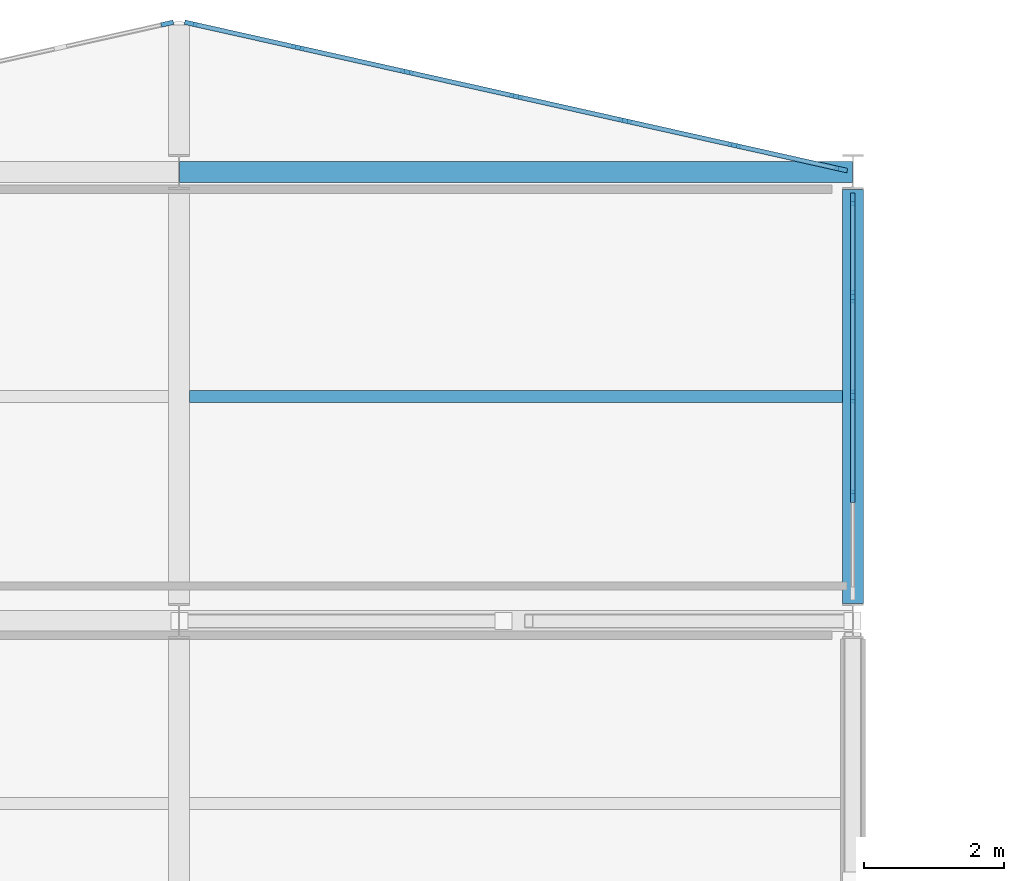
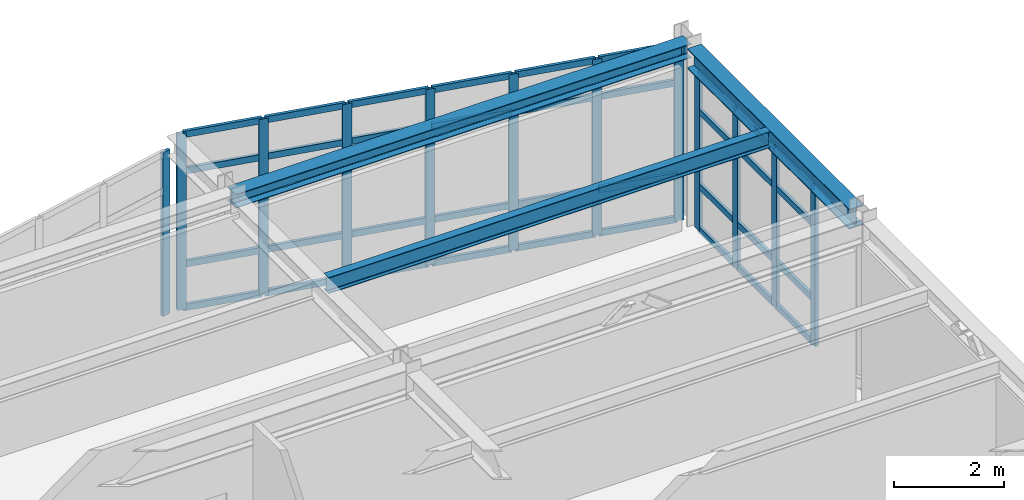
# One storey, part 45 of 88: 48 members, 3 beams, 3 elements without a shape of their own.
"""IFC4 building model written with IfcOpenShell, lengths in metres."""

from ifc_helpers import new_model, si_unit, direction, frame, origin, origin_2d, place, context, subcontext, project, spatial, rectangle, i_section, extrude, material, layer, layer_set, material_profile, profile_set, type_object, element, aggregate, save


model = new_model("IFC4")

# Units and contexts
model_context = context("Model", 3, precision=1e-05, world=origin(), true_north=direction((0.0, 1.0)))
body_context = subcontext(model_context, "Body", "Model", "MODEL_VIEW")
ifc_project = project(units=[si_unit("LENGTHUNIT", "METRE"), si_unit("AREAUNIT", "SQUARE_METRE"), si_unit("VOLUMEUNIT", "CUBIC_METRE"), si_unit("PLANEANGLEUNIT", "RADIAN"), si_unit("MASSUNIT", "GRAM", prefix="KILO")], contexts=[model_context])

# Site, building, storey
site_placement = place(None, origin())
site = spatial("IfcSite", under=ifc_project, at=site_placement, CompositionType="ELEMENT")
building_placement = place(site_placement, origin())
building = spatial("IfcBuilding", under=site, at=building_placement, Name="Nordkorset Police Headquarters", CompositionType="ELEMENT")
storey_placement = place(building_placement, frame((0.0, 0.0, 9.449951171875)))
storey = spatial("IfcBuildingStorey", under=building, at=storey_placement, Name="L02", CompositionType="ELEMENT", Elevation=9.449951171875)

# Beam
ifc_material_1 = material(Name="Steel S355J2", Category="steel")
ifc_material_profile_1 = material_profile(ifc_material_1, i_section(OverallWidth=0.169921875, OverallDepth=0.360107421875, WebThickness=0.008056640625, FlangeThickness=0.0126953125, FilletRadius=0.01806640625, at=origin_2d()), Name="IPE 360")
ifc_profile_set_1 = profile_set([ifc_material_profile_1], Name="Steel S355J2")
beam_type_1 = type_object("IfcBeamType", Name="Beam_IPE_360", PredefinedType="BEAM", material=ifc_profile_set_1)
beam_1_placement = place(storey_placement, frame((76.949951171875, 113.60009765625, 3.7900390625), z_axis=(1.0, 0.0, 0.0), x_axis=(0.0, 1.0, 0.0)))
element("IfcBeam", 1, at=beam_1_placement, inside=storey, type_object=beam_type_1, Name="Composite Floor Beam V2 L02 5-2-1", PredefinedType="BEAM", context=body_context, shape_type="SweptSolid", body=[
    extrude(i_section(OverallWidth=0.169921875, OverallDepth=0.360107421875, WebThickness=0.008056640625, FlangeThickness=0.0126953125, FilletRadius=0.01806640625, at=origin_2d()), origin(), (0.0, 0.0, 1.0), 9.300048828125),
])

# Curtain wall, member
ifc_material_2 = material(Name="Aluminium alloy AW-6060", Category="aluminium")
ifc_layer_1 = layer(ifc_material_2, 0.179931640625, Name="Aluminium alloy AW-6060")
ifc_layer_set_1 = layer_set([ifc_layer_1], Name="Aluminium alloy AW-6060")
curtain_wall_type_1 = type_object("IfcCurtainWallType", Name="CW_Unit_956x364", PredefinedType="USERDEFINED", material=ifc_layer_set_1)
curtain_wall_1_placement = place(storey_placement, origin())
curtain_wall_1 = element("IfcCurtainWall", 2, at=curtain_wall_1_placement, inside=storey, type_object=curtain_wall_type_1, Name="Unitised Curtain Wall L02 V2N-4", ObjectType="UNITISED CURTAIN WALL", PredefinedType="USERDEFINED")
ifc_material_3 = material(Name="Aluminium alloy AW-6060", Category="aluminium")
ifc_material_profile_2 = material_profile(ifc_material_3, rectangle(XDim=0.06494140625, YDim=0.179931640625, at=origin_2d()), Name="ALU MULL 65x180")
ifc_profile_set_2 = profile_set([ifc_material_profile_2], Name="Aluminium alloy AW-6060")
member_type_1 = type_object("IfcMemberType", Name="CW_Mullion_65x180", PredefinedType="MULLION", material=ifc_profile_set_2)
member_1_placement = place(storey_placement, frame((76.631591796875, 118.912353515625, 0.0), z_axis=(0.0, 0.0, 1.0), x_axis=(-0.218544020358, 0.975827090814, 0.0)))
member_1 = element("IfcMember", 3, at=member_1_placement, type_object=member_type_1, Name="CW-36 mullion 7", PredefinedType="MULLION", context=body_context, shape_type="SweptSolid", body=[
    extrude(rectangle(XDim=0.06494140625, YDim=0.179931640625, at=origin_2d()), origin(), (0.0, 0.0, 1.0), 3.64013671875),
])
aggregate(curtain_wall_1, [member_1])

# Curtain wall, members
ifc_material_4 = material(Name="Aluminium alloy AW-6060", Category="aluminium")
ifc_layer_2 = layer(ifc_material_4, 0.179931640625, Name="Aluminium alloy AW-6060")
ifc_layer_set_2 = layer_set([ifc_layer_2], Name="Aluminium alloy AW-6060")
curtain_wall_type_2 = type_object("IfcCurtainWallType", Name="CW_Unit_956x392", PredefinedType="USERDEFINED", material=ifc_layer_set_2)
curtain_wall_2_placement = place(storey_placement, origin())
curtain_wall_2 = element("IfcCurtainWall", 4, at=curtain_wall_2_placement, inside=storey, type_object=curtain_wall_type_2, Name="Unitised Curtain Wall L02 V2N-5", ObjectType="UNITISED CURTAIN WALL", PredefinedType="USERDEFINED")
member_2_placement = place(storey_placement, frame((76.96826171875, 118.912353515625, 0.0), z_axis=(0.0, 0.0, 1.0), x_axis=(0.218544020358, 0.975827090814, 0.0)))
member_2 = element("IfcMember", 5, at=member_2_placement, type_object=member_type_1, Name="CW-41 mullion 1", PredefinedType="MULLION", context=body_context, shape_type="SweptSolid", body=[
    extrude(rectangle(XDim=0.06494140625, YDim=0.179931640625, at=origin_2d()), origin(), (0.0, 0.0, 1.0), 3.920166015625),
])
member_3_placement = place(storey_placement, frame((78.490966796875, 118.5712890625, 0.0), z_axis=(0.0, 0.0, 1.0), x_axis=(0.218544020358, 0.975827090814, 0.0)))
member_3 = element("IfcMember", 6, at=member_3_placement, type_object=member_type_1, Name="CW-41 mullion 2", PredefinedType="MULLION", context=body_context, shape_type="SweptSolid", body=[
    extrude(rectangle(XDim=0.06494140625, YDim=0.179931640625, at=origin_2d()), origin(), (0.0, 0.0, 1.0), 3.920166015625),
])
member_4_placement = place(storey_placement, frame((80.045654296875, 118.22314453125, 0.0), z_axis=(0.0, 0.0, 1.0), x_axis=(0.218544020358, 0.975827090814, 0.0)))
member_4 = element("IfcMember", 7, at=member_4_placement, type_object=member_type_1, Name="CW-41 mullion 3", PredefinedType="MULLION", context=body_context, shape_type="SweptSolid", body=[
    extrude(rectangle(XDim=0.06494140625, YDim=0.179931640625, at=origin_2d()), origin(), (0.0, 0.0, 1.0), 3.920166015625),
])
member_5_placement = place(storey_placement, frame((81.60009765625, 117.875, 0.0), z_axis=(0.0, 0.0, 1.0), x_axis=(0.218544020358, 0.975827090814, 0.0)))
member_5 = element("IfcMember", 8, at=member_5_placement, type_object=member_type_1, Name="CW-41 mullion 4", PredefinedType="MULLION", context=body_context, shape_type="SweptSolid", body=[
    extrude(rectangle(XDim=0.06494140625, YDim=0.179931640625, at=origin_2d()), origin(), (0.0, 0.0, 1.0), 3.920166015625),
])
member_6_placement = place(storey_placement, frame((83.154541015625, 117.52685546875, 0.0), z_axis=(0.0, 0.0, 1.0), x_axis=(0.218544020358, 0.975827090814, 0.0)))
member_6 = element("IfcMember", 9, at=member_6_placement, type_object=member_type_1, Name="CW-41 mullion 5", PredefinedType="MULLION", context=body_context, shape_type="SweptSolid", body=[
    extrude(rectangle(XDim=0.06494140625, YDim=0.179931640625, at=origin_2d()), origin(), (0.0, 0.0, 1.0), 3.920166015625),
])
member_7_placement = place(storey_placement, frame((84.708984375, 117.1787109375, 0.0), z_axis=(0.0, 0.0, 1.0), x_axis=(0.218544020358, 0.975827090814, 0.0)))
member_7 = element("IfcMember", 10, at=member_7_placement, type_object=member_type_1, Name="CW-41 mullion 6", PredefinedType="MULLION", context=body_context, shape_type="SweptSolid", body=[
    extrude(rectangle(XDim=0.06494140625, YDim=0.179931640625, at=origin_2d()), origin(), (0.0, 0.0, 1.0), 3.920166015625),
])
member_8_placement = place(storey_placement, frame((86.231689453125, 116.837646484375, 0.0), z_axis=(0.0, 0.0, 1.0), x_axis=(0.218544020358, 0.975827090814, 0.0)))
member_8 = element("IfcMember", 11, at=member_8_placement, type_object=member_type_1, Name="CW-41 mullion 7", PredefinedType="MULLION", context=body_context, shape_type="SweptSolid", body=[
    extrude(rectangle(XDim=0.06494140625, YDim=0.179931640625, at=origin_2d()), origin(), (0.0, 0.0, 1.0), 3.920166015625),
])

ifc_material_5 = material(Name="Aluminium alloy AW-6060", Category="aluminium")
ifc_layer_3 = layer(ifc_material_5, 0.179931640625, Name="Aluminium alloy AW-6060")
ifc_layer_set_3 = layer_set([ifc_layer_3], Name="Aluminium alloy AW-6060")
curtain_wall_type_3 = type_object("IfcCurtainWallType", Name="CW_Unit_568x351", PredefinedType="USERDEFINED", material=ifc_layer_set_3)
curtain_wall_3_placement = place(storey_placement, origin())
curtain_wall_3 = element("IfcCurtainWall", 12, at=curtain_wall_3_placement, inside=storey, type_object=curtain_wall_type_3, Name="Unitised Curtain Wall L02 V2E-1", ObjectType="UNITISED CURTAIN WALL", PredefinedType="USERDEFINED")
member_9_placement = place(storey_placement, frame((86.39990234375, 112.179931640625, 0.0), z_axis=(0.0, 0.0, 1.0), x_axis=(-1.0, 0.0, 0.0)))
member_9 = element("IfcMember", 13, at=member_9_placement, type_object=member_type_1, Name="CW-57 mullion 2", PredefinedType="MULLION", context=body_context, shape_type="SweptSolid", body=[
    extrude(rectangle(XDim=0.06494140625, YDim=0.179931640625, at=origin_2d()), origin(), (0.0, 0.0, 1.0), 3.510009765625),
])
member_10_placement = place(storey_placement, frame((86.39990234375, 113.60009765625, 0.0), z_axis=(0.0, 0.0, 1.0), x_axis=(-1.0, 0.0, 0.0)))
member_10 = element("IfcMember", 14, at=member_10_placement, type_object=member_type_1, Name="CW-57 mullion 3", PredefinedType="MULLION", context=body_context, shape_type="SweptSolid", body=[
    extrude(rectangle(XDim=0.06494140625, YDim=0.179931640625, at=origin_2d()), origin(), (0.0, 0.0, 1.0), 3.510009765625),
])
member_11_placement = place(storey_placement, frame((86.39990234375, 115.02001953125, 0.0), z_axis=(0.0, 0.0, 1.0), x_axis=(-1.0, 0.0, 0.0)))
member_11 = element("IfcMember", 15, at=member_11_placement, type_object=member_type_1, Name="CW-57 mullion 4", PredefinedType="MULLION", context=body_context, shape_type="SweptSolid", body=[
    extrude(rectangle(XDim=0.06494140625, YDim=0.179931640625, at=origin_2d()), origin(), (0.0, 0.0, 1.0), 3.510009765625),
])
member_12_placement = place(storey_placement, frame((86.39990234375, 116.407470703125, 0.0), z_axis=(0.0, 0.0, 1.0), x_axis=(-1.0, 0.0, 0.0)))
member_12 = element("IfcMember", 16, at=member_12_placement, type_object=member_type_1, Name="CW-57 mullion 5", PredefinedType="MULLION", context=body_context, shape_type="SweptSolid", body=[
    extrude(rectangle(XDim=0.06494140625, YDim=0.179931640625, at=origin_2d()), origin(), (0.0, 0.0, 1.0), 3.510009765625),
])

# Member
ifc_material_6 = material(Name="Aluminium alloy AW-6060", Category="aluminium")
ifc_material_profile_3 = material_profile(ifc_material_6, rectangle(XDim=0.06494140625, YDim=0.139892578125, at=origin_2d()), Name="ALU TRAN 65x140")
ifc_profile_set_3 = profile_set([ifc_material_profile_3], Name="Aluminium alloy AW-6060")
member_type_2 = type_object("IfcMemberType", Name="CW_Transom_65x140", PredefinedType="USERDEFINED", material=ifc_profile_set_3)
member_13_placement = place(storey_placement, frame((77.0, 118.9052734375, 0.032470703125), z_axis=(0.975820800319, -0.218572106328, 0.0), x_axis=(0.218572106328, 0.975820800319, 0.0)))
member_13 = element("IfcMember", 17, at=member_13_placement, type_object=member_type_2, Name="CW-41 transom 1.1", ObjectType="TRANSOM", PredefinedType="USERDEFINED", context=body_context, shape_type="SweptSolid", body=[
    extrude(rectangle(XDim=0.06494140625, YDim=0.139892578125, at=origin_2d()), origin(), (0.0, 0.0, 1.0), 1.49560546875),
])

member_14_placement = place(storey_placement, frame((77.0, 118.9052734375, 1.0), z_axis=(0.975820800319, -0.218572106328, 0.0), x_axis=(0.218572106328, 0.975820800319, 0.0)))
member_14 = element("IfcMember", 18, at=member_14_placement, type_object=member_type_2, Name="CW-41 transom 1.2", ObjectType="TRANSOM", PredefinedType="USERDEFINED", context=body_context, shape_type="SweptSolid", body=[
    extrude(rectangle(XDim=0.06494140625, YDim=0.139892578125, at=origin_2d()), origin(), (0.0, 0.0, 1.0), 1.49560546875),
])

member_15_placement = place(storey_placement, frame((77.0, 118.9052734375, 3.070068359375), z_axis=(0.975820800319, -0.218572106328, 0.0), x_axis=(0.218572106328, 0.975820800319, 0.0)))
member_15 = element("IfcMember", 19, at=member_15_placement, type_object=member_type_2, Name="CW-41 transom 1.3", ObjectType="TRANSOM", PredefinedType="USERDEFINED", context=body_context, shape_type="SweptSolid", body=[
    extrude(rectangle(XDim=0.06494140625, YDim=0.139892578125, at=origin_2d()), origin(), (0.0, 0.0, 1.0), 1.49560546875),
])

member_16_placement = place(storey_placement, frame((77.0, 118.9052734375, 3.887451171875), z_axis=(0.975820800319, -0.218572106328, 0.0), x_axis=(0.218572106328, 0.975820800319, 0.0)))
member_16 = element("IfcMember", 20, at=member_16_placement, type_object=member_type_2, Name="CW-41 transom 1.4", ObjectType="TRANSOM", PredefinedType="USERDEFINED", context=body_context, shape_type="SweptSolid", body=[
    extrude(rectangle(XDim=0.06494140625, YDim=0.139892578125, at=origin_2d()), origin(), (0.0, 0.0, 1.0), 1.49560546875),
])

member_17_placement = place(storey_placement, frame((78.522705078125, 118.564208984375, 0.032470703125), z_axis=(0.975824835817, -0.218554088965, 0.0), x_axis=(0.218554088965, 0.975824835817, 0.0)))
member_17 = element("IfcMember", 21, at=member_17_placement, type_object=member_type_2, Name="CW-41 transom 2.1", ObjectType="TRANSOM", PredefinedType="USERDEFINED", context=body_context, shape_type="SweptSolid", body=[
    extrude(rectangle(XDim=0.06494140625, YDim=0.139892578125, at=origin_2d()), origin(), (0.0, 0.0, 1.0), 1.528076171875),
])

member_18_placement = place(storey_placement, frame((78.522705078125, 118.564208984375, 1.0), z_axis=(0.975824835817, -0.218554088965, 0.0), x_axis=(0.218554088965, 0.975824835817, 0.0)))
member_18 = element("IfcMember", 22, at=member_18_placement, type_object=member_type_2, Name="CW-41 transom 2.2", ObjectType="TRANSOM", PredefinedType="USERDEFINED", context=body_context, shape_type="SweptSolid", body=[
    extrude(rectangle(XDim=0.06494140625, YDim=0.139892578125, at=origin_2d()), origin(), (0.0, 0.0, 1.0), 1.528076171875),
])

member_19_placement = place(storey_placement, frame((78.522705078125, 118.564208984375, 3.070068359375), z_axis=(0.975824835817, -0.218554088965, 0.0), x_axis=(0.218554088965, 0.975824835817, 0.0)))
member_19 = element("IfcMember", 23, at=member_19_placement, type_object=member_type_2, Name="CW-41 transom 2.3", ObjectType="TRANSOM", PredefinedType="USERDEFINED", context=body_context, shape_type="SweptSolid", body=[
    extrude(rectangle(XDim=0.06494140625, YDim=0.139892578125, at=origin_2d()), origin(), (0.0, 0.0, 1.0), 1.528076171875),
])

member_20_placement = place(storey_placement, frame((78.522705078125, 118.564208984375, 3.887451171875), z_axis=(0.975824835817, -0.218554088965, 0.0), x_axis=(0.218554088965, 0.975824835817, 0.0)))
member_20 = element("IfcMember", 24, at=member_20_placement, type_object=member_type_2, Name="CW-41 transom 2.4", ObjectType="TRANSOM", PredefinedType="USERDEFINED", context=body_context, shape_type="SweptSolid", body=[
    extrude(rectangle(XDim=0.06494140625, YDim=0.139892578125, at=origin_2d()), origin(), (0.0, 0.0, 1.0), 1.528076171875),
])

member_21_placement = place(storey_placement, frame((80.0771484375, 118.216064453125, 0.032470703125), z_axis=(0.975824835817, -0.218554088965, 0.0), x_axis=(0.218554088965, 0.975824835817, 0.0)))
member_21 = element("IfcMember", 25, at=member_21_placement, type_object=member_type_2, Name="CW-41 transom 3.1", ObjectType="TRANSOM", PredefinedType="USERDEFINED", context=body_context, shape_type="SweptSolid", body=[
    extrude(rectangle(XDim=0.06494140625, YDim=0.139892578125, at=origin_2d()), origin(), (0.0, 0.0, 1.0), 1.528076171875),
])

member_22_placement = place(storey_placement, frame((80.0771484375, 118.216064453125, 1.0), z_axis=(0.975824835817, -0.218554088965, 0.0), x_axis=(0.218554088965, 0.975824835817, 0.0)))
member_22 = element("IfcMember", 26, at=member_22_placement, type_object=member_type_2, Name="CW-41 transom 3.2", ObjectType="TRANSOM", PredefinedType="USERDEFINED", context=body_context, shape_type="SweptSolid", body=[
    extrude(rectangle(XDim=0.06494140625, YDim=0.139892578125, at=origin_2d()), origin(), (0.0, 0.0, 1.0), 1.528076171875),
])

member_23_placement = place(storey_placement, frame((80.0771484375, 118.216064453125, 3.070068359375), z_axis=(0.975824835817, -0.218554088965, 0.0), x_axis=(0.218554088965, 0.975824835817, 0.0)))
member_23 = element("IfcMember", 27, at=member_23_placement, type_object=member_type_2, Name="CW-41 transom 3.3", ObjectType="TRANSOM", PredefinedType="USERDEFINED", context=body_context, shape_type="SweptSolid", body=[
    extrude(rectangle(XDim=0.06494140625, YDim=0.139892578125, at=origin_2d()), origin(), (0.0, 0.0, 1.0), 1.528076171875),
])

member_24_placement = place(storey_placement, frame((80.0771484375, 118.216064453125, 3.887451171875), z_axis=(0.975824835817, -0.218554088965, 0.0), x_axis=(0.218554088965, 0.975824835817, 0.0)))
member_24 = element("IfcMember", 28, at=member_24_placement, type_object=member_type_2, Name="CW-41 transom 3.4", ObjectType="TRANSOM", PredefinedType="USERDEFINED", context=body_context, shape_type="SweptSolid", body=[
    extrude(rectangle(XDim=0.06494140625, YDim=0.139892578125, at=origin_2d()), origin(), (0.0, 0.0, 1.0), 1.528076171875),
])

member_25_placement = place(storey_placement, frame((81.6318359375, 117.867919921875, 0.032470703125), z_axis=(0.975817202869, -0.218588166616, 0.0), x_axis=(0.218588166616, 0.975817202869, 0.0)))
member_25 = element("IfcMember", 29, at=member_25_placement, type_object=member_type_2, Name="CW-41 transom 4.1", ObjectType="TRANSOM", PredefinedType="USERDEFINED", context=body_context, shape_type="SweptSolid", body=[
    extrude(rectangle(XDim=0.06494140625, YDim=0.139892578125, at=origin_2d()), origin(), (0.0, 0.0, 1.0), 1.52783203125),
])

member_26_placement = place(storey_placement, frame((81.6318359375, 117.867919921875, 1.0), z_axis=(0.975817202869, -0.218588166616, 0.0), x_axis=(0.218588166616, 0.975817202869, 0.0)))
member_26 = element("IfcMember", 30, at=member_26_placement, type_object=member_type_2, Name="CW-41 transom 4.2", ObjectType="TRANSOM", PredefinedType="USERDEFINED", context=body_context, shape_type="SweptSolid", body=[
    extrude(rectangle(XDim=0.06494140625, YDim=0.139892578125, at=origin_2d()), origin(), (0.0, 0.0, 1.0), 1.52783203125),
])

member_27_placement = place(storey_placement, frame((81.6318359375, 117.867919921875, 3.070068359375), z_axis=(0.975817202869, -0.218588166616, 0.0), x_axis=(0.218588166616, 0.975817202869, 0.0)))
member_27 = element("IfcMember", 31, at=member_27_placement, type_object=member_type_2, Name="CW-41 transom 4.3", ObjectType="TRANSOM", PredefinedType="USERDEFINED", context=body_context, shape_type="SweptSolid", body=[
    extrude(rectangle(XDim=0.06494140625, YDim=0.139892578125, at=origin_2d()), origin(), (0.0, 0.0, 1.0), 1.52783203125),
])

member_28_placement = place(storey_placement, frame((81.6318359375, 117.867919921875, 3.887451171875), z_axis=(0.975817202869, -0.218588166616, 0.0), x_axis=(0.218588166616, 0.975817202869, 0.0)))
member_28 = element("IfcMember", 32, at=member_28_placement, type_object=member_type_2, Name="CW-41 transom 4.4", ObjectType="TRANSOM", PredefinedType="USERDEFINED", context=body_context, shape_type="SweptSolid", body=[
    extrude(rectangle(XDim=0.06494140625, YDim=0.139892578125, at=origin_2d()), origin(), (0.0, 0.0, 1.0), 1.52783203125),
])

member_29_placement = place(storey_placement, frame((83.186279296875, 117.519775390625, 0.032470703125), z_axis=(0.975817202869, -0.218588166616, 0.0), x_axis=(0.218588166616, 0.975817202869, 0.0)))
member_29 = element("IfcMember", 33, at=member_29_placement, type_object=member_type_2, Name="CW-41 transom 5.1", ObjectType="TRANSOM", PredefinedType="USERDEFINED", context=body_context, shape_type="SweptSolid", body=[
    extrude(rectangle(XDim=0.06494140625, YDim=0.139892578125, at=origin_2d()), origin(), (0.0, 0.0, 1.0), 1.52783203125),
])

member_30_placement = place(storey_placement, frame((83.186279296875, 117.519775390625, 1.0), z_axis=(0.975817202869, -0.218588166616, 0.0), x_axis=(0.218588166616, 0.975817202869, 0.0)))
member_30 = element("IfcMember", 34, at=member_30_placement, type_object=member_type_2, Name="CW-41 transom 5.2", ObjectType="TRANSOM", PredefinedType="USERDEFINED", context=body_context, shape_type="SweptSolid", body=[
    extrude(rectangle(XDim=0.06494140625, YDim=0.139892578125, at=origin_2d()), origin(), (0.0, 0.0, 1.0), 1.52783203125),
])

member_31_placement = place(storey_placement, frame((83.186279296875, 117.519775390625, 3.070068359375), z_axis=(0.975817202869, -0.218588166616, 0.0), x_axis=(0.218588166616, 0.975817202869, 0.0)))
member_31 = element("IfcMember", 35, at=member_31_placement, type_object=member_type_2, Name="CW-41 transom 5.3", ObjectType="TRANSOM", PredefinedType="USERDEFINED", context=body_context, shape_type="SweptSolid", body=[
    extrude(rectangle(XDim=0.06494140625, YDim=0.139892578125, at=origin_2d()), origin(), (0.0, 0.0, 1.0), 1.52783203125),
])

member_32_placement = place(storey_placement, frame((83.186279296875, 117.519775390625, 3.887451171875), z_axis=(0.975817202869, -0.218588166616, 0.0), x_axis=(0.218588166616, 0.975817202869, 0.0)))
member_32 = element("IfcMember", 36, at=member_32_placement, type_object=member_type_2, Name="CW-41 transom 5.4", ObjectType="TRANSOM", PredefinedType="USERDEFINED", context=body_context, shape_type="SweptSolid", body=[
    extrude(rectangle(XDim=0.06494140625, YDim=0.139892578125, at=origin_2d()), origin(), (0.0, 0.0, 1.0), 1.52783203125),
])

member_33_placement = place(storey_placement, frame((84.74072265625, 117.171630859375, 0.032470703125), z_axis=(0.975813000089, -0.218606927743, 0.0), x_axis=(0.218606927743, 0.975813000089, 0.0)))
member_33 = element("IfcMember", 37, at=member_33_placement, type_object=member_type_2, Name="CW-41 transom 6.1", ObjectType="TRANSOM", PredefinedType="USERDEFINED", context=body_context, shape_type="SweptSolid", body=[
    extrude(rectangle(XDim=0.06494140625, YDim=0.139892578125, at=origin_2d()), origin(), (0.0, 0.0, 1.0), 1.495361328125),
])

member_34_placement = place(storey_placement, frame((84.74072265625, 117.171630859375, 1.0), z_axis=(0.975813000089, -0.218606927743, 0.0), x_axis=(0.218606927743, 0.975813000089, 0.0)))
member_34 = element("IfcMember", 38, at=member_34_placement, type_object=member_type_2, Name="CW-41 transom 6.2", ObjectType="TRANSOM", PredefinedType="USERDEFINED", context=body_context, shape_type="SweptSolid", body=[
    extrude(rectangle(XDim=0.06494140625, YDim=0.139892578125, at=origin_2d()), origin(), (0.0, 0.0, 1.0), 1.495361328125),
])

member_35_placement = place(storey_placement, frame((84.74072265625, 117.171630859375, 3.070068359375), z_axis=(0.975813000089, -0.218606927743, 0.0), x_axis=(0.218606927743, 0.975813000089, 0.0)))
member_35 = element("IfcMember", 39, at=member_35_placement, type_object=member_type_2, Name="CW-41 transom 6.3", ObjectType="TRANSOM", PredefinedType="USERDEFINED", context=body_context, shape_type="SweptSolid", body=[
    extrude(rectangle(XDim=0.06494140625, YDim=0.139892578125, at=origin_2d()), origin(), (0.0, 0.0, 1.0), 1.495361328125),
])

member_36_placement = place(storey_placement, frame((84.74072265625, 117.171630859375, 3.887451171875), z_axis=(0.975813000089, -0.218606927743, 0.0), x_axis=(0.218606927743, 0.975813000089, 0.0)))
member_36 = element("IfcMember", 40, at=member_36_placement, type_object=member_type_2, Name="CW-41 transom 6.4", ObjectType="TRANSOM", PredefinedType="USERDEFINED", context=body_context, shape_type="SweptSolid", body=[
    extrude(rectangle(XDim=0.06494140625, YDim=0.139892578125, at=origin_2d()), origin(), (0.0, 0.0, 1.0), 1.495361328125),
])

aggregate(curtain_wall_2, [member_2, member_3, member_4, member_5, member_6, member_7, member_8, member_13, member_14, member_15, member_16, member_17, member_18, member_19, member_20, member_21, member_22, member_23, member_24, member_25, member_26, member_27, member_28, member_29, member_30, member_31, member_32, member_33, member_34, member_35, member_36])

member_37_placement = place(storey_placement, frame((86.39990234375, 112.21240234375, 0.032470703125), z_axis=(0.0, 1.0, 0.0), x_axis=(-1.0, 0.0, 0.0)))
member_37 = element("IfcMember", 41, at=member_37_placement, type_object=member_type_2, Name="CW-57 transom 2.1", ObjectType="TRANSOM", PredefinedType="USERDEFINED", context=body_context, shape_type="SweptSolid", body=[
    extrude(rectangle(XDim=0.06494140625, YDim=0.139892578125, at=origin_2d()), origin(), (0.0, 0.0, 1.0), 1.35498046875),
])

member_38_placement = place(storey_placement, frame((86.39990234375, 112.21240234375, 1.0), z_axis=(0.0, 1.0, 0.0), x_axis=(-1.0, 0.0, 0.0)))
member_38 = element("IfcMember", 42, at=member_38_placement, type_object=member_type_2, Name="CW-57 transom 2.2", ObjectType="TRANSOM", PredefinedType="USERDEFINED", context=body_context, shape_type="SweptSolid", body=[
    extrude(rectangle(XDim=0.06494140625, YDim=0.139892578125, at=origin_2d()), origin(), (0.0, 0.0, 1.0), 1.35498046875),
])

member_39_placement = place(storey_placement, frame((86.39990234375, 112.21240234375, 2.66015625), z_axis=(0.0, 1.0, 0.0), x_axis=(-1.0, 0.0, 0.0)))
member_39 = element("IfcMember", 43, at=member_39_placement, type_object=member_type_2, Name="CW-57 transom 2.3", ObjectType="TRANSOM", PredefinedType="USERDEFINED", context=body_context, shape_type="SweptSolid", body=[
    extrude(rectangle(XDim=0.06494140625, YDim=0.139892578125, at=origin_2d()), origin(), (0.0, 0.0, 1.0), 1.35498046875),
])

member_40_placement = place(storey_placement, frame((86.39990234375, 112.21240234375, 3.4775390625), z_axis=(0.0, 1.0, 0.0), x_axis=(-1.0, 0.0, 0.0)))
member_40 = element("IfcMember", 44, at=member_40_placement, type_object=member_type_2, Name="CW-57 transom 2.4", ObjectType="TRANSOM", PredefinedType="USERDEFINED", context=body_context, shape_type="SweptSolid", body=[
    extrude(rectangle(XDim=0.06494140625, YDim=0.139892578125, at=origin_2d()), origin(), (0.0, 0.0, 1.0), 1.35498046875),
])

member_41_placement = place(storey_placement, frame((86.39990234375, 113.632568359375, 0.032470703125), z_axis=(0.0, 1.0, 0.0), x_axis=(-1.0, 0.0, 0.0)))
member_41 = element("IfcMember", 45, at=member_41_placement, type_object=member_type_2, Name="CW-57 transom 3.1", ObjectType="TRANSOM", PredefinedType="USERDEFINED", context=body_context, shape_type="SweptSolid", body=[
    extrude(rectangle(XDim=0.06494140625, YDim=0.139892578125, at=origin_2d()), origin(), (0.0, 0.0, 1.0), 1.35498046875),
])

member_42_placement = place(storey_placement, frame((86.39990234375, 113.632568359375, 1.0), z_axis=(0.0, 1.0, 0.0), x_axis=(-1.0, 0.0, 0.0)))
member_42 = element("IfcMember", 46, at=member_42_placement, type_object=member_type_2, Name="CW-57 transom 3.2", ObjectType="TRANSOM", PredefinedType="USERDEFINED", context=body_context, shape_type="SweptSolid", body=[
    extrude(rectangle(XDim=0.06494140625, YDim=0.139892578125, at=origin_2d()), origin(), (0.0, 0.0, 1.0), 1.35498046875),
])

member_43_placement = place(storey_placement, frame((86.39990234375, 113.632568359375, 2.66015625), z_axis=(0.0, 1.0, 0.0), x_axis=(-1.0, 0.0, 0.0)))
member_43 = element("IfcMember", 47, at=member_43_placement, type_object=member_type_2, Name="CW-57 transom 3.3", ObjectType="TRANSOM", PredefinedType="USERDEFINED", context=body_context, shape_type="SweptSolid", body=[
    extrude(rectangle(XDim=0.06494140625, YDim=0.139892578125, at=origin_2d()), origin(), (0.0, 0.0, 1.0), 1.35498046875),
])

member_44_placement = place(storey_placement, frame((86.39990234375, 113.632568359375, 3.4775390625), z_axis=(0.0, 1.0, 0.0), x_axis=(-1.0, 0.0, 0.0)))
member_44 = element("IfcMember", 48, at=member_44_placement, type_object=member_type_2, Name="CW-57 transom 3.4", ObjectType="TRANSOM", PredefinedType="USERDEFINED", context=body_context, shape_type="SweptSolid", body=[
    extrude(rectangle(XDim=0.06494140625, YDim=0.139892578125, at=origin_2d()), origin(), (0.0, 0.0, 1.0), 1.35498046875),
])

member_45_placement = place(storey_placement, frame((86.39990234375, 115.052490234375, 0.032470703125), z_axis=(0.0, 1.0, 0.0), x_axis=(-1.0, 0.0, 0.0)))
member_45 = element("IfcMember", 49, at=member_45_placement, type_object=member_type_2, Name="CW-57 transom 4.1", ObjectType="TRANSOM", PredefinedType="USERDEFINED", context=body_context, shape_type="SweptSolid", body=[
    extrude(rectangle(XDim=0.06494140625, YDim=0.139892578125, at=origin_2d()), origin(), (0.0, 0.0, 1.0), 1.322509765625),
])

member_46_placement = place(storey_placement, frame((86.39990234375, 115.052490234375, 1.0), z_axis=(0.0, 1.0, 0.0), x_axis=(-1.0, 0.0, 0.0)))
member_46 = element("IfcMember", 50, at=member_46_placement, type_object=member_type_2, Name="CW-57 transom 4.2", ObjectType="TRANSOM", PredefinedType="USERDEFINED", context=body_context, shape_type="SweptSolid", body=[
    extrude(rectangle(XDim=0.06494140625, YDim=0.139892578125, at=origin_2d()), origin(), (0.0, 0.0, 1.0), 1.322509765625),
])

member_47_placement = place(storey_placement, frame((86.39990234375, 115.052490234375, 2.66015625), z_axis=(0.0, 1.0, 0.0), x_axis=(-1.0, 0.0, 0.0)))
member_47 = element("IfcMember", 51, at=member_47_placement, type_object=member_type_2, Name="CW-57 transom 4.3", ObjectType="TRANSOM", PredefinedType="USERDEFINED", context=body_context, shape_type="SweptSolid", body=[
    extrude(rectangle(XDim=0.06494140625, YDim=0.139892578125, at=origin_2d()), origin(), (0.0, 0.0, 1.0), 1.322509765625),
])

member_48_placement = place(storey_placement, frame((86.39990234375, 115.052490234375, 3.4775390625), z_axis=(0.0, 1.0, 0.0), x_axis=(-1.0, 0.0, 0.0)))
member_48 = element("IfcMember", 52, at=member_48_placement, type_object=member_type_2, Name="CW-57 transom 4.4", ObjectType="TRANSOM", PredefinedType="USERDEFINED", context=body_context, shape_type="SweptSolid", body=[
    extrude(rectangle(XDim=0.06494140625, YDim=0.139892578125, at=origin_2d()), origin(), (0.0, 0.0, 1.0), 1.322509765625),
])

aggregate(curtain_wall_3, [member_9, member_10, member_11, member_12, member_37, member_38, member_39, member_40, member_41, member_42, member_43, member_44, member_45, member_46, member_47, member_48])

# Beams
ifc_material_7 = material(Name="Steel S355J2", Category="steel")
ifc_material_profile_4 = material_profile(ifc_material_7, i_section(OverallWidth=0.300048828125, OverallDepth=0.43994140625, WebThickness=0.011474609375, FlangeThickness=0.02099609375, FilletRadius=0.027099609375, at=origin_2d()), Name="HEA 450")
ifc_profile_set_4 = profile_set([ifc_material_profile_4], Name="Steel S355J2")
beam_type_2 = type_object("IfcBeamType", Name="Girder_HEA_450", PredefinedType="USERDEFINED", material=ifc_profile_set_4)
beam_2_placement = place(storey_placement, frame((86.39990234375, 110.64990234375, 3.75), z_axis=(0.0, 1.0, 0.0), x_axis=(-1.0, 0.0, 0.0)))
element("IfcBeam", 53, at=beam_2_placement, inside=storey, type_object=beam_type_2, Name="Girder V2 L02 GY-6-2", ObjectType="GIRDER", PredefinedType="USERDEFINED", context=body_context, shape_type="SweptSolid", body=[
    extrude(i_section(OverallWidth=0.300048828125, OverallDepth=0.43994140625, WebThickness=0.011474609375, FlangeThickness=0.02099609375, FilletRadius=0.027099609375, at=origin_2d()), origin(), (0.0, 0.0, 1.0), 5.900146484375),
])
ifc_material_8 = material(Name="Steel S355J2", Category="steel")
ifc_material_profile_5 = material_profile(ifc_material_8, i_section(OverallWidth=0.300048828125, OverallDepth=0.31005859375, WebThickness=0.009033203125, FlangeThickness=0.015380859375, FilletRadius=0.027099609375, at=origin_2d()), Name="HEA 320")
ifc_profile_set_5 = profile_set([ifc_material_profile_5], Name="Steel S355J2")
beam_type_3 = type_object("IfcBeamType", Name="Spandrel_HEA_320", PredefinedType="SPANDREL", material=ifc_profile_set_5)
beam_3_placement = place(storey_placement, frame((76.807373046875, 116.800048828125, 3.81494140625), z_axis=(1.0, 0.0, 0.0), x_axis=(0.0, 1.0, 0.0)))
element("IfcBeam", 54, at=beam_3_placement, inside=storey, type_object=beam_type_3, Name="Girder V2 L02 GX-3-5", PredefinedType="SPANDREL", context=body_context, shape_type="SweptSolid", body=[
    extrude(i_section(OverallWidth=0.300048828125, OverallDepth=0.31005859375, WebThickness=0.009033203125, FlangeThickness=0.015380859375, FilletRadius=0.027099609375, at=origin_2d()), origin(), (0.0, 0.0, 1.0), 9.585205078125),
])

save(model, "model.ifc")
